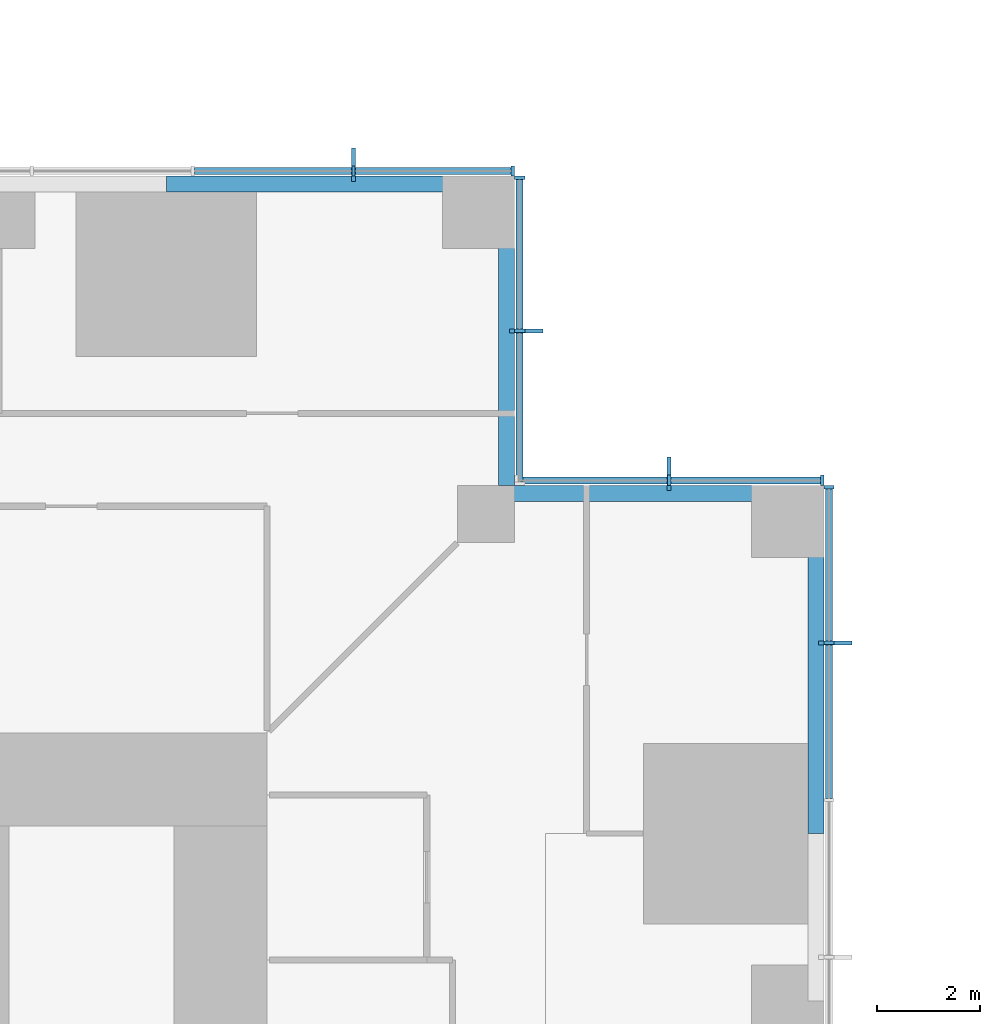
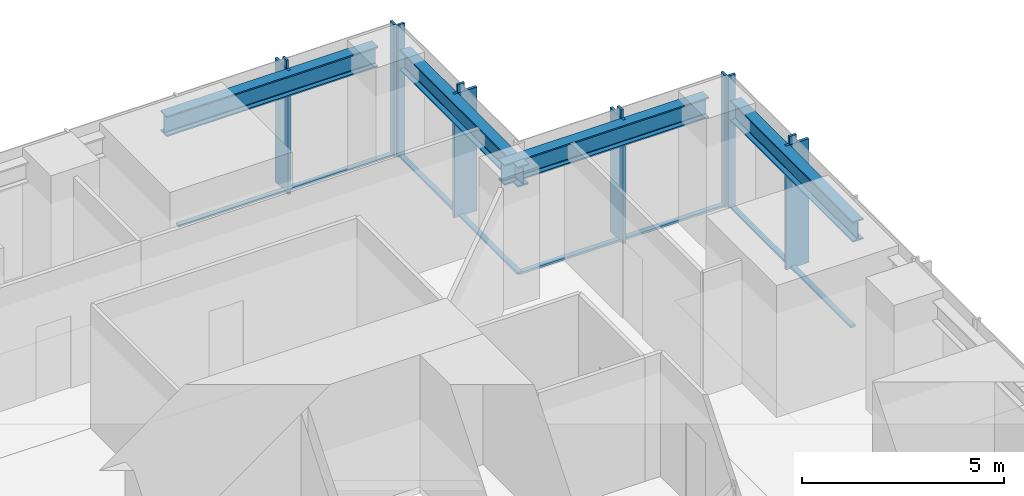
# One storey, part 6 of 16: 20 members, 4 beams, 4 elements without a shape of their own.
"""IFC4 building model written with IfcOpenShell, lengths in metres."""

from ifc_helpers import new_model, si_unit, direction, frame, origin, origin_2d, place, context, subcontext, project, spatial, rectangle, i_section, extrude, material, material_profile, profile_set, type_object, element, aggregate, save


model = new_model("IFC4")

# Units and contexts
model_context = context("Model", 3, precision=1e-05, world=origin(), true_north=direction((0.0, 1.0)))
body_context = subcontext(model_context, "Body", "Model", "MODEL_VIEW")
ifc_project = project(units=[si_unit("LENGTHUNIT", "METRE"), si_unit("AREAUNIT", "SQUARE_METRE"), si_unit("VOLUMEUNIT", "CUBIC_METRE"), si_unit("PLANEANGLEUNIT", "RADIAN"), si_unit("MASSUNIT", "GRAM", prefix="KILO")], contexts=[model_context])

# Site, building, storey
site_placement = place(None, origin())
site = spatial("IfcSite", under=ifc_project, at=site_placement, CompositionType="ELEMENT")
building_placement = place(site_placement, origin())
building = spatial("IfcBuilding", under=site, at=building_placement, Name="Svetlomir Tower", CompositionType="ELEMENT")
storey_placement = place(building_placement, frame((0.0, 0.0, 50.5)))
storey = spatial("IfcBuildingStorey", under=building, at=storey_placement, Name="L11", CompositionType="ELEMENT", Elevation=50.5)

# Curtain wall, member
ifc_material_1 = material(Name="Bronze anodised aluminium curtain wall", Category="aluminium")
curtain_wall_type = type_object("IfcCurtainWallType", Name="CURTAIN WALL CW1 TOWER OFFICE", PredefinedType="NOTDEFINED", material=ifc_material_1)
curtain_wall_1_placement = place(storey_placement, origin())
curtain_wall_1 = element("IfcCurtainWall", 1, at=curtain_wall_1_placement, inside=storey, type_object=curtain_wall_type, Name="Curtain wall CW1 L11", PredefinedType="NOTDEFINED")
ifc_material_2 = material(Name="Bronze anodised aluminium", Category="aluminium")
ifc_material_profile_1 = material_profile(ifc_material_2, rectangle(XDim=0.080078125, YDim=0.64990234375, at=origin_2d()), Name="FIN 80x650")
ifc_profile_set_1 = profile_set([ifc_material_profile_1], Name="Bronze anodised aluminium 6063-T6")
member_type_1 = type_object("IfcMemberType", Name="BRONZE FIN 80x650", PredefinedType="USERDEFINED", material=ifc_profile_set_1)
member_1_placement = place(storey_placement, frame((42.22509765625, 32.949951171875, 0.0), z_axis=(0.0, 0.0, 1.0), x_axis=(0.0, 1.0, 0.0)))
member_1 = element("IfcMember", 2, at=member_1_placement, type_object=member_type_1, Name="Bronze fin L11", ObjectType="FIN", PredefinedType="USERDEFINED", context=body_context, shape_type="SweptSolid", body=[
    extrude(rectangle(XDim=0.080078125, YDim=0.64990234375, at=origin_2d()), origin(), (0.0, 0.0, 1.0), 3.75),
])

curtain_wall_2_placement = place(storey_placement, origin())
curtain_wall_2 = element("IfcCurtainWall", 3, at=curtain_wall_2_placement, inside=storey, type_object=curtain_wall_type, Name="Curtain wall CW1 L11", PredefinedType="NOTDEFINED")
member_2_placement = place(storey_placement, frame((39.0, 36.22509765625, 0.0), z_axis=(0.0, 0.0, 1.0), x_axis=(1.0, 0.0, 0.0)))
member_2 = element("IfcMember", 4, at=member_2_placement, type_object=member_type_1, Name="Bronze fin L11", ObjectType="FIN", PredefinedType="USERDEFINED", context=body_context, shape_type="SweptSolid", body=[
    extrude(rectangle(XDim=0.080078125, YDim=0.64990234375, at=origin_2d()), origin(), (0.0, 0.0, 1.0), 3.75),
])

curtain_wall_3_placement = place(storey_placement, origin())
curtain_wall_3 = element("IfcCurtainWall", 5, at=curtain_wall_3_placement, inside=storey, type_object=curtain_wall_type, Name="Curtain wall CW1 L11", PredefinedType="NOTDEFINED")
member_3_placement = place(storey_placement, frame((36.22509765625, 39.0, 0.0), z_axis=(0.0, 0.0, 1.0), x_axis=(0.0, 1.0, 0.0)))
member_3 = element("IfcMember", 6, at=member_3_placement, type_object=member_type_1, Name="Bronze fin L11", ObjectType="FIN", PredefinedType="USERDEFINED", context=body_context, shape_type="SweptSolid", body=[
    extrude(rectangle(XDim=0.080078125, YDim=0.64990234375, at=origin_2d()), origin(), (0.0, 0.0, 1.0), 3.75),
])

curtain_wall_4_placement = place(storey_placement, origin())
curtain_wall_4 = element("IfcCurtainWall", 7, at=curtain_wall_4_placement, inside=storey, type_object=curtain_wall_type, Name="Curtain wall CW1 L11", PredefinedType="NOTDEFINED")
member_4_placement = place(storey_placement, frame((32.8798828125, 42.22509765625, 0.0), z_axis=(0.0, 0.0, 1.0), x_axis=(1.0, 0.0, 0.0)))
member_4 = element("IfcMember", 8, at=member_4_placement, type_object=member_type_1, Name="Bronze fin L11", ObjectType="FIN", PredefinedType="USERDEFINED", context=body_context, shape_type="SweptSolid", body=[
    extrude(rectangle(XDim=0.080078125, YDim=0.64990234375, at=origin_2d()), origin(), (0.0, 0.0, 1.0), 3.75),
])

# Member
ifc_material_3 = material(Name="Bronze anodised aluminium", Category="aluminium")
ifc_material_profile_2 = material_profile(ifc_material_3, rectangle(XDim=0.06494140625, YDim=0.199951171875, at=origin_2d()), Name="AL 65x200")
ifc_profile_set_2 = profile_set([ifc_material_profile_2], Name="Bronze anodised aluminium 6063-T6")
member_type_2 = type_object("IfcMemberType", Name="CW1 MULLION 65x200", PredefinedType="MULLION", material=ifc_profile_set_2)
member_5_placement = place(storey_placement, frame((42.10009765625, 32.949951171875, 0.0), z_axis=(0.0, 0.0, 1.0), x_axis=(0.0, 1.0, 0.0)))
member_5 = element("IfcMember", 9, at=member_5_placement, type_object=member_type_2, Name="CW1 mullion 8", PredefinedType="MULLION", context=body_context, shape_type="SweptSolid", body=[
    extrude(rectangle(XDim=0.06494140625, YDim=0.199951171875, at=origin_2d()), origin(), (0.0, 0.0, 1.0), 4.0),
])

member_6_placement = place(storey_placement, frame((42.10009765625, 35.967529296875, 0.0), z_axis=(0.0, 0.0, 1.0), x_axis=(0.0, 1.0, 0.0)))
member_6 = element("IfcMember", 10, at=member_6_placement, type_object=member_type_2, Name="CW1 mullion 9", PredefinedType="MULLION", context=body_context, shape_type="SweptSolid", body=[
    extrude(rectangle(XDim=0.06494140625, YDim=0.199951171875, at=origin_2d()), origin(), (0.0, 0.0, 1.0), 4.0),
])

member_7_placement = place(storey_placement, frame((41.967529296875, 36.10009765625, 0.0), z_axis=(0.0, 0.0, 1.0), x_axis=(-1.0, 0.0, 0.0)))
member_7 = element("IfcMember", 11, at=member_7_placement, type_object=member_type_2, Name="CW1 mullion 1", PredefinedType="MULLION", context=body_context, shape_type="SweptSolid", body=[
    extrude(rectangle(XDim=0.06494140625, YDim=0.199951171875, at=origin_2d()), origin(), (0.0, 0.0, 1.0), 4.0),
])

member_8_placement = place(storey_placement, frame((39.0, 36.10009765625, 0.0), z_axis=(0.0, 0.0, 1.0), x_axis=(-1.0, 0.0, 0.0)))
member_8 = element("IfcMember", 12, at=member_8_placement, type_object=member_type_2, Name="CW1 mullion 2", PredefinedType="MULLION", context=body_context, shape_type="SweptSolid", body=[
    extrude(rectangle(XDim=0.06494140625, YDim=0.199951171875, at=origin_2d()), origin(), (0.0, 0.0, 1.0), 4.0),
])

member_9_placement = place(storey_placement, frame((36.10009765625, 39.0, 0.0), z_axis=(0.0, 0.0, 1.0), x_axis=(0.0, 1.0, 0.0)))
member_9 = element("IfcMember", 13, at=member_9_placement, type_object=member_type_2, Name="CW1 mullion 2", PredefinedType="MULLION", context=body_context, shape_type="SweptSolid", body=[
    extrude(rectangle(XDim=0.06494140625, YDim=0.199951171875, at=origin_2d()), origin(), (0.0, 0.0, 1.0), 4.0),
])

member_10_placement = place(storey_placement, frame((36.10009765625, 41.967529296875, 0.0), z_axis=(0.0, 0.0, 1.0), x_axis=(0.0, 1.0, 0.0)))
member_10 = element("IfcMember", 14, at=member_10_placement, type_object=member_type_2, Name="CW1 mullion 3", PredefinedType="MULLION", context=body_context, shape_type="SweptSolid", body=[
    extrude(rectangle(XDim=0.06494140625, YDim=0.199951171875, at=origin_2d()), origin(), (0.0, 0.0, 1.0), 4.0),
])

member_11_placement = place(storey_placement, frame((35.967529296875, 42.10009765625, 0.0), z_axis=(0.0, 0.0, 1.0), x_axis=(-1.0, 0.0, 0.0)))
member_11 = element("IfcMember", 15, at=member_11_placement, type_object=member_type_2, Name="CW1 mullion 1", PredefinedType="MULLION", context=body_context, shape_type="SweptSolid", body=[
    extrude(rectangle(XDim=0.06494140625, YDim=0.199951171875, at=origin_2d()), origin(), (0.0, 0.0, 1.0), 4.0),
])

member_12_placement = place(storey_placement, frame((32.8798828125, 42.10009765625, 0.0), z_axis=(0.0, 0.0, 1.0), x_axis=(-1.0, 0.0, 0.0)))
member_12 = element("IfcMember", 16, at=member_12_placement, type_object=member_type_2, Name="CW1 mullion 2", PredefinedType="MULLION", context=body_context, shape_type="SweptSolid", body=[
    extrude(rectangle(XDim=0.06494140625, YDim=0.199951171875, at=origin_2d()), origin(), (0.0, 0.0, 1.0), 4.0),
])

ifc_material_4 = material(Name="Bronze anodised aluminium", Category="aluminium")
ifc_material_profile_3 = material_profile(ifc_material_4, rectangle(XDim=0.139892578125, YDim=0.06494140625, at=origin_2d()), Name="AL 140x65")
ifc_profile_set_3 = profile_set([ifc_material_profile_3], Name="Bronze anodised aluminium 6063-T6")
member_type_3 = type_object("IfcMemberType", Name="CW1 TRANSOM 65x140", PredefinedType="USERDEFINED", material=ifc_profile_set_3)
member_13_placement = place(storey_placement, frame((42.10009765625, 29.9326171875, 0.032470703125), z_axis=(0.0, 1.0, 0.0), x_axis=(-1.0, 0.0, 0.0)))
member_13 = element("IfcMember", 17, at=member_13_placement, type_object=member_type_3, Name="CW1 transom 7.1", ObjectType="TRANSOM", PredefinedType="USERDEFINED", context=body_context, shape_type="SweptSolid", body=[
    extrude(rectangle(XDim=0.139892578125, YDim=0.06494140625, at=origin_2d()), origin(), (0.0, 0.0, 1.0), 2.98486328125),
])

member_14_placement = place(storey_placement, frame((42.10009765625, 32.982421875, 0.032470703125), z_axis=(0.0, 1.0, 0.0), x_axis=(-1.0, 0.0, 0.0)))
member_14 = element("IfcMember", 18, at=member_14_placement, type_object=member_type_3, Name="CW1 transom 8.1", ObjectType="TRANSOM", PredefinedType="USERDEFINED", context=body_context, shape_type="SweptSolid", body=[
    extrude(rectangle(XDim=0.139892578125, YDim=0.06494140625, at=origin_2d()), origin(), (0.0, 0.0, 1.0), 2.95263671875),
])

aggregate(curtain_wall_1, [member_5, member_6, member_13, member_14, member_1])

member_15_placement = place(storey_placement, frame((41.93505859375, 36.10009765625, 0.032470703125), z_axis=(-1.0, 0.0, 0.0), x_axis=(0.0, -1.0, 0.0)))
member_15 = element("IfcMember", 19, at=member_15_placement, type_object=member_type_3, Name="CW1 transom 1.1", ObjectType="TRANSOM", PredefinedType="USERDEFINED", context=body_context, shape_type="SweptSolid", body=[
    extrude(rectangle(XDim=0.139892578125, YDim=0.06494140625, at=origin_2d()), origin(), (0.0, 0.0, 1.0), 2.902587890625),
])

member_16_placement = place(storey_placement, frame((38.967529296875, 36.10009765625, 0.032470703125), z_axis=(-1.0, 0.0, 0.0), x_axis=(0.0, -1.0, 0.0)))
member_16 = element("IfcMember", 20, at=member_16_placement, type_object=member_type_3, Name="CW1 transom 2.1", ObjectType="TRANSOM", PredefinedType="USERDEFINED", context=body_context, shape_type="SweptSolid", body=[
    extrude(rectangle(XDim=0.139892578125, YDim=0.06494140625, at=origin_2d()), origin(), (0.0, 0.0, 1.0), 2.902587890625),
])

aggregate(curtain_wall_2, [member_7, member_8, member_15, member_16, member_2])

member_17_placement = place(storey_placement, frame((36.10009765625, 36.06494140625, 0.032470703125), z_axis=(0.0, 1.0, 0.0), x_axis=(-1.0, 0.0, 0.0)))
member_17 = element("IfcMember", 21, at=member_17_placement, type_object=member_type_3, Name="CW1 transom 1.1", ObjectType="TRANSOM", PredefinedType="USERDEFINED", context=body_context, shape_type="SweptSolid", body=[
    extrude(rectangle(XDim=0.139892578125, YDim=0.06494140625, at=origin_2d()), origin(), (0.0, 0.0, 1.0), 2.902587890625),
])

member_18_placement = place(storey_placement, frame((36.10009765625, 39.032470703125, 0.032470703125), z_axis=(0.0, 1.0, 0.0), x_axis=(-1.0, 0.0, 0.0)))
member_18 = element("IfcMember", 22, at=member_18_placement, type_object=member_type_3, Name="CW1 transom 2.1", ObjectType="TRANSOM", PredefinedType="USERDEFINED", context=body_context, shape_type="SweptSolid", body=[
    extrude(rectangle(XDim=0.139892578125, YDim=0.06494140625, at=origin_2d()), origin(), (0.0, 0.0, 1.0), 2.902587890625),
])

aggregate(curtain_wall_3, [member_9, member_10, member_17, member_18, member_3])

member_19_placement = place(storey_placement, frame((35.93505859375, 42.10009765625, 0.032470703125), z_axis=(-1.0, 0.0, 0.0), x_axis=(0.0, -1.0, 0.0)))
member_19 = element("IfcMember", 23, at=member_19_placement, type_object=member_type_3, Name="CW1 transom 1.1", ObjectType="TRANSOM", PredefinedType="USERDEFINED", context=body_context, shape_type="SweptSolid", body=[
    extrude(rectangle(XDim=0.139892578125, YDim=0.06494140625, at=origin_2d()), origin(), (0.0, 0.0, 1.0), 3.0224609375),
])

member_20_placement = place(storey_placement, frame((32.847412109375, 42.10009765625, 0.032470703125), z_axis=(-1.0, 0.0, 0.0), x_axis=(0.0, -1.0, 0.0)))
member_20 = element("IfcMember", 24, at=member_20_placement, type_object=member_type_3, Name="CW1 transom 2.1", ObjectType="TRANSOM", PredefinedType="USERDEFINED", context=body_context, shape_type="SweptSolid", body=[
    extrude(rectangle(XDim=0.139892578125, YDim=0.06494140625, at=origin_2d()), origin(), (0.0, 0.0, 1.0), 3.054931640625),
])

aggregate(curtain_wall_4, [member_11, member_12, member_19, member_20, member_4])

# Beams
ifc_material_5 = material(Name="Steel S355", Category="steel")
ifc_material_profile_4 = material_profile(ifc_material_5, i_section(OverallWidth=0.304931640625, OverallDepth=0.6201171875, WebThickness=0.02099609375, FlangeThickness=0.0400390625, FilletRadius=0.027099609375, at=origin_2d()), Name="HEM 600")
ifc_profile_set_4 = profile_set([ifc_material_profile_4], Name="Steel S355")
beam_type = type_object("IfcBeamType", Name="EDGE BEAM HEM 600", PredefinedType="SPANDREL", material=ifc_profile_set_4)
for number, where, z_axis, x_axis, name in (
    (25, (41.847412109375, 29.25, 3.43994140625), (0.0, 1.0, 0.0), (-1.0, 0.0, 0.0), "Edge beam 42/31 to 42/36 under L12"),
    (26, (29.25, 41.847412109375, 3.43994140625), (1.0, 0.0, 0.0), (0.0, 1.0, 0.0), "Edge beam 31/42 to 36/42 under L12"),
):
    element("IfcBeam", number, at=place(storey_placement, frame(where, z_axis=z_axis, x_axis=x_axis)), inside=storey, type_object=beam_type, Name=name, PredefinedType="SPANDREL", context=body_context, shape_type="SweptSolid", body=[
        extrude(i_section(OverallWidth=0.304931640625, OverallDepth=0.6201171875, WebThickness=0.02099609375, FlangeThickness=0.0400390625, FilletRadius=0.027099609375, at=origin_2d()), origin(), (0.0, 0.0, 1.0), 6.050048828125),
    ])
for number, where, z_axis, x_axis, name in (
    (27, (35.847412109375, 41.300048828125, 3.43994140625), (0.0, -1.0, 0.0), (1.0, 0.0, 0.0), "Edge beam 36/42 to 36/36 under L12"),
    (28, (41.300048828125, 35.847412109375, 3.43994140625), (-1.0, 0.0, 0.0), (0.0, -1.0, 0.0), "Edge beam 42/36 to 36/36 under L12"),
):
    element("IfcBeam", number, at=place(storey_placement, frame(where, z_axis=z_axis, x_axis=x_axis)), inside=storey, type_object=beam_type, Name=name, PredefinedType="SPANDREL", context=body_context, shape_type="SweptSolid", body=[
        extrude(i_section(OverallWidth=0.304931640625, OverallDepth=0.6201171875, WebThickness=0.02099609375, FlangeThickness=0.0400390625, FilletRadius=0.027099609375, at=origin_2d()), origin(), (0.0, 0.0, 1.0), 5.85009765625),
    ])

save(model, "model.ifc")
